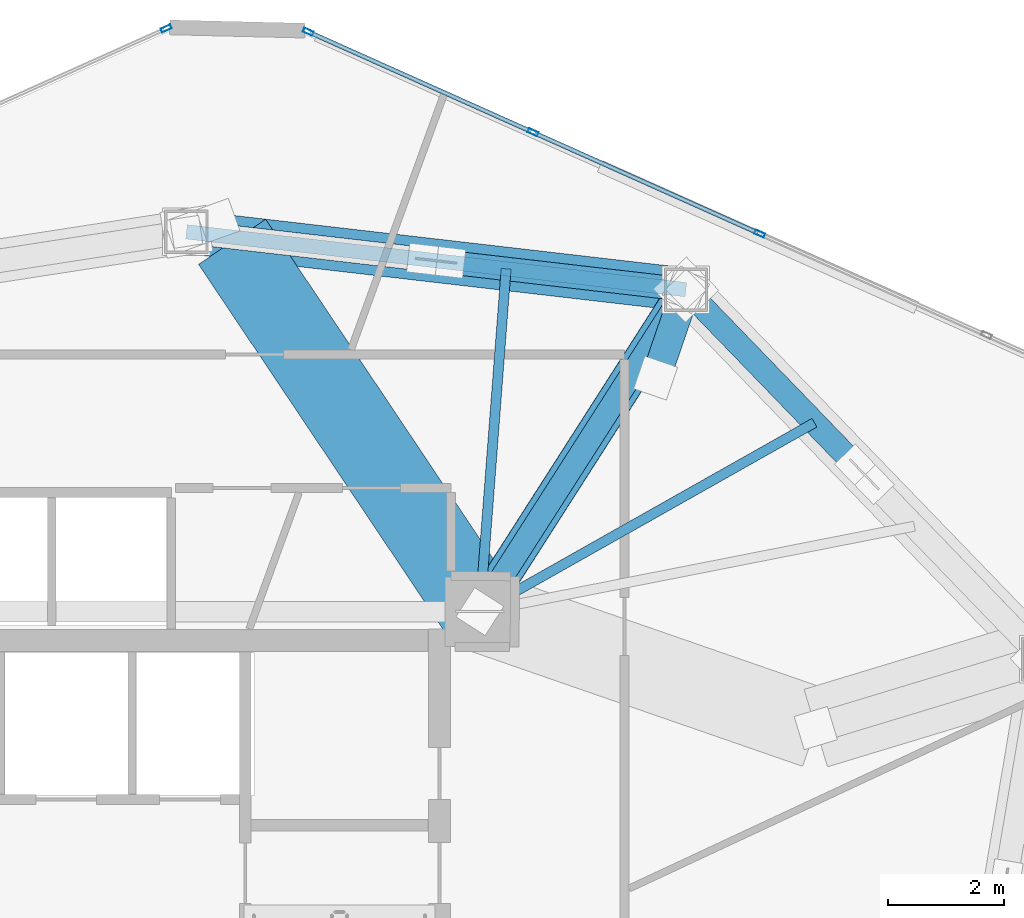
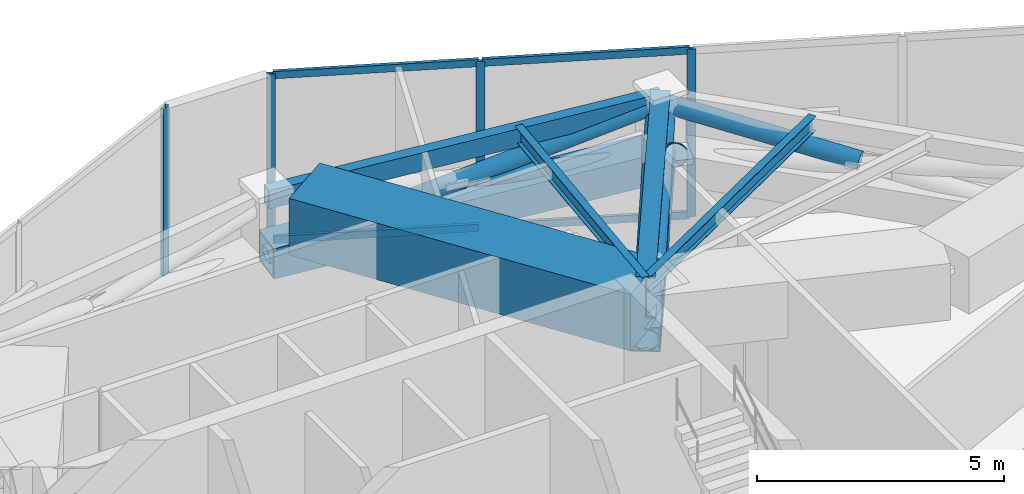
# One storey, part 14 of 21: 15 members, 5 beams, 2 elements without a shape of their own.
"""IFC4 building model written with IfcOpenShell, lengths in metres."""

from ifc_helpers import new_model, si_unit, direction, frame, origin, origin_2d, place, context, subcontext, project, spatial, rectangle, hollow_rectangle, hollow_circle, i_section, extrude, source, transform, mapped, material, layer, layer_set, material_profile, profile_set, type_object, type_shapes, element, aggregate, save


model = new_model("IFC4")

# Units and contexts
model_context = context("Model", 3, precision=1e-05, world=origin(), true_north=direction((0.0, 1.0)))
body_context = subcontext(model_context, "Body", "Model", "MODEL_VIEW")
ifc_project = project(units=[si_unit("LENGTHUNIT", "METRE"), si_unit("AREAUNIT", "SQUARE_METRE"), si_unit("VOLUMEUNIT", "CUBIC_METRE"), si_unit("PLANEANGLEUNIT", "RADIAN"), si_unit("MASSUNIT", "GRAM", prefix="KILO")], contexts=[model_context])

# Site, building, storey
site_placement = place(None, origin())
site = spatial("IfcSite", under=ifc_project, at=site_placement, CompositionType="ELEMENT")
building_placement = place(site_placement, origin())
building = spatial("IfcBuilding", under=site, at=building_placement, Name="Talar Marvaseh", CompositionType="ELEMENT")
storey_placement = place(building_placement, frame((0.0, 0.0, 162.39990234375)))
storey = spatial("IfcBuildingStorey", under=building, at=storey_placement, Name="L42", CompositionType="ELEMENT", Elevation=162.39990234375)

# Beams
ifc_material_1 = material(Name="Steel S460", Category="steel")
ifc_material_profile_1 = material_profile(ifc_material_1, i_section(OverallWidth=0.39990234375, OverallDepth=1.02099609375, WebThickness=0.02294921875, FlangeThickness=0.0390625, at=origin_2d()), Name="W1000x412")
ifc_profile_set_1 = profile_set([ifc_material_profile_1], Name="Steel S460")
beam_type_1 = type_object("IfcBeamType", Name="Heavy Outrigger Tie Girder W1000x412", PredefinedType="BEAM", material=ifc_profile_set_1)
beam_1_placement = place(storey_placement, frame((33.300048828125, 36.89990234375, 3.6396484375), z_axis=(0.539101874952, 0.842240564461, 0.0), x_axis=(-0.842240564461, 0.539101874952, 0.0)))
element("IfcBeam", 1, at=beam_1_placement, inside=storey, type_object=beam_type_1, Name="L42 Heavy Outrigger Tie Girder W1000x412", PredefinedType="BEAM", context=body_context, shape_type="SweptSolid", body=[
    extrude(i_section(OverallWidth=0.39990234375, OverallDepth=1.02099609375, WebThickness=0.02294921875, FlangeThickness=0.0390625, at=origin_2d()), origin(), (0.0, 0.0, 1.0), 6.614501953125),
])
ifc_material_2 = material(Name="Concrete C70/85", Category="concrete")
ifc_material_profile_2 = material_profile(ifc_material_2, rectangle(XDim=1.39990234375, YDim=1.39990234375, at=origin_2d()), Name="RC1400x1400")
ifc_profile_set_2 = profile_set([ifc_material_profile_2], Name="Concrete C70/85")
beam_type_2 = type_object("IfcBeamType", Name="Setback Deep Concrete Transfer Girder RC1400x1400", PredefinedType="BEAM", material=ifc_profile_set_2)
beam_2_placement = place(storey_placement, frame((29.0126953125, 43.2998046875, 3.4501953125), z_axis=(0.556563824134, -0.830804856549, 0.0), x_axis=(0.830804856549, 0.556563824134, 0.0)))
element("IfcBeam", 2, at=beam_2_placement, inside=storey, type_object=beam_type_2, Name="L42 Setback Backspan Transfer Girder 1", PredefinedType="BEAM", context=body_context, shape_type="SweptSolid", body=[
    extrude(rectangle(XDim=1.39990234375, YDim=1.39990234375, at=origin_2d()), origin(), (0.0, 0.0, 1.0), 7.703369140625),
])
ifc_material_3 = material(Name="Steel S355", Category="steel")
ifc_material_profile_3 = material_profile(ifc_material_3, hollow_rectangle(XDim=0.25, YDim=0.449951171875, WallThickness=0.01611328125, at=origin_2d()), Name="RHS450x250x16")
ifc_profile_set_3 = profile_set([ifc_material_profile_3], Name="Steel S355")
beam_type_3 = type_object("IfcBeamType", Name="Zone 2 Perimeter Spandrel Beam RHS450x250x16", PredefinedType="SPANDREL", material=ifc_profile_set_3)
beam_3_placement = place(storey_placement, frame((28.221923828125, 43.471923828125, 3.925048828125), z_axis=(0.993361914569, -0.115030894474, 0.0), x_axis=(0.115030894474, 0.993361914569, 0.0)))
element("IfcBeam", 3, at=beam_3_placement, inside=storey, type_object=beam_type_3, Name="L42 Zone 2 Perimeter Spandrel Beam RHS450x250x16", PredefinedType="SPANDREL", context=body_context, shape_type="SweptSolid", body=[
    extrude(hollow_rectangle(XDim=0.25, YDim=0.449951171875, WallThickness=0.01611328125, at=origin_2d()), origin(), (0.0, 0.0, 1.0), 8.701904296875),
])
ifc_material_profile_4 = material_profile(ifc_material_3, i_section(OverallWidth=0.172119140625, OverallDepth=0.35791015625, WebThickness=0.0078125, FlangeThickness=0.01318359375, at=origin_2d()), Name="W360x57")
ifc_profile_set_4 = profile_set([ifc_material_profile_4], Name="Steel S355")
beam_type_4 = type_object("IfcBeamType", Name="Zone 2 Secondary Floor Joist W360x57", PredefinedType="JOIST", material=ifc_profile_set_4)
beam_4_placement = place(storey_placement, frame((39.090087890625, 40.168701171875, 3.97119140625), z_axis=(-0.870809604029, -0.491620416105, 0.0), x_axis=(0.491620416105, -0.870809604029, 0.0)))
element("IfcBeam", 4, at=beam_4_placement, inside=storey, type_object=beam_type_4, Name="L42 Zone 2 Secondary Floor Joist W360x57", PredefinedType="JOIST", context=body_context, shape_type="SweptSolid", body=[
    extrude(i_section(OverallWidth=0.172119140625, OverallDepth=0.35791015625, WebThickness=0.0078125, FlangeThickness=0.01318359375, at=origin_2d()), origin(), (0.0, 0.0, 1.0), 6.64892578125),
])
beam_5_placement = place(storey_placement, frame((33.754150390625, 42.831298828125, 3.97119140625), z_axis=(-0.076335577703, -0.99708218296, 0.0), x_axis=(0.99708218296, -0.076335577703, 0.0)))
element("IfcBeam", 5, at=beam_5_placement, inside=storey, type_object=beam_type_4, Name="L42 Zone 2 Secondary Floor Joist W360x57", PredefinedType="JOIST", context=body_context, shape_type="SweptSolid", body=[
    extrude(i_section(OverallWidth=0.172119140625, OverallDepth=0.35791015625, WebThickness=0.0078125, FlangeThickness=0.01318359375, at=origin_2d()), origin(), (0.0, 0.0, 1.0), 5.94873046875),
])

# Members
ifc_material_profile_5 = material_profile(ifc_material_1, hollow_rectangle(XDim=0.60009765625, YDim=0.60009765625, WallThickness=0.031982421875, at=origin_2d()), Name="BOX600x600x32")
ifc_profile_set_5 = profile_set([ifc_material_profile_5], Name="Steel S460")
member_type_1 = type_object("IfcMemberType", Name="Outrigger Chord Member BOX600x600x32", PredefinedType="CHORD", material=ifc_profile_set_5)
shared_shape_1 = source(origin(), body_context, "Body", "SweptSolid", [
    extrude(hollow_rectangle(XDim=0.60009765625, YDim=0.60009765625, WallThickness=0.031982421875, at=origin_2d()), origin(), (0.0, 0.0, 1.0), 6.614501953125),
])
type_shapes(member_type_1, [shared_shape_1])
member_1_placement = place(storey_placement, frame((33.300048828125, 36.89990234375, 2.60009765625), z_axis=(0.539101874952, 0.842240564461, 0.0), x_axis=(-0.842240564461, 0.539101874952, 0.0)))
element("IfcMember", 6, at=member_1_placement, inside=storey, type_object=member_type_1, Name="L42 Outrigger Upper Tie Chord 2", PredefinedType="CHORD", context=body_context, shape_type="MappedRepresentation", body=[
    mapped(shared_shape_1, transform((0.0, 0.0, 0.0), x_axis=(1.0, 0.0, 0.0), y_axis=(0.0, 1.0, 0.0), z_axis=(0.0, 0.0, 1.0), scale=1.0)),
])
ifc_material_profile_6 = material_profile(ifc_material_1, hollow_circle(Radius=0.304931640625, WallThickness=0.02490234375, at=origin_2d()), Name="CHS610x25")
ifc_profile_set_6 = profile_set([ifc_material_profile_6], Name="Steel S460")
member_type_2 = type_object("IfcMemberType", Name="Outrigger Diagonal Brace CHS610x25", PredefinedType="BRACE", material=ifc_profile_set_6)
shared_shape_2 = source(origin(), body_context, "Body", "SweptSolid", [
    extrude(hollow_circle(Radius=0.304931640625, WallThickness=0.02490234375, at=origin_2d()), origin(), (0.0, 0.0, 1.0), 6.697265625),
])
type_shapes(member_type_2, [shared_shape_2])
member_2_placement = place(storey_placement, frame((33.300048828125, 36.89990234375, 2.60009765625), z_axis=(0.532434672433, 0.831824372878, 0.156784987412), x_axis=(-0.842240564461, 0.539101874952, 0.0)))
element("IfcMember", 7, at=member_2_placement, inside=storey, type_object=member_type_2, Name="L42 Outrigger Diagonal Brace 2", PredefinedType="BRACE", context=body_context, shape_type="MappedRepresentation", body=[
    mapped(shared_shape_2, transform((0.0, 0.0, 0.0), x_axis=(1.0, 0.0, 0.0), y_axis=(0.0, 1.0, 0.0), z_axis=(0.0, 0.0, 1.0), scale=1.0)),
])
ifc_material_profile_7 = material_profile(ifc_material_1, hollow_circle(Radius=0.25390625, WallThickness=0.02001953125, at=origin_2d()), Name="CHS508x20")
ifc_profile_set_7 = profile_set([ifc_material_profile_7], Name="Steel S460")
member_type_3 = type_object("IfcMemberType", Name="Crown Frame Diagonal Brace CHS508x20", PredefinedType="BRACE", material=ifc_profile_set_7)
shared_shape_3 = source(origin(), body_context, "Body", "SweptSolid", [
    extrude(hollow_circle(Radius=0.25390625, WallThickness=0.02001953125, at=origin_2d()), origin(), (0.0, 0.0, 1.0), 1.955322265625),
])
type_shapes(member_type_3, [shared_shape_3])
member_3_placement = place(storey_placement, frame((36.865966796875, 42.470947265625, 2.550048828125), z_axis=(-0.268432043908, -0.781948786511, 0.562583623187), x_axis=(0.945821444235, -0.324687227384, 0.0)))
element("IfcMember", 8, at=member_3_placement, inside=storey, type_object=member_type_3, Name="L42 Setback Transfer Raked Strut 2", PredefinedType="BRACE", context=body_context, shape_type="MappedRepresentation", body=[
    mapped(shared_shape_3, transform((0.0, 0.0, 0.0), x_axis=(1.0, 0.0, 0.0), y_axis=(0.0, 1.0, 0.0), z_axis=(0.0, 0.0, 1.0), scale=1.0)),
])
ifc_material_profile_8 = material_profile(ifc_material_1, hollow_circle(Radius=0.203125, WallThickness=0.01611328125, at=origin_2d()), Name="CHS406x16")
ifc_profile_set_8 = profile_set([ifc_material_profile_8], Name="Steel S460")
member_type_4 = type_object("IfcMemberType", Name="Belt Truss Diagonal Brace CHS406x16", PredefinedType="BRACE", material=ifc_profile_set_8)
shared_shape_4 = source(origin(), body_context, "Body", "SweptSolid", [
    extrude(hollow_circle(Radius=0.203125, WallThickness=0.01611328125, at=origin_2d()), origin(), (0.0, 0.0, 1.0), 4.2568359375),
])
member_4_placement = place(storey_placement, frame((39.7900390625, 39.444091796875, 3.211181640625), z_axis=(-0.686919449847, 0.711065153144, 0.150093362299), x_axis=(-0.719212516559, -0.69479015251, 0.0)))
element("IfcMember", 9, at=member_4_placement, inside=storey, type_object=member_type_4, Name="L42 Belt Truss Split Diagonal Upper 1", PredefinedType="BRACE", context=body_context, shape_type="MappedRepresentation", body=[
    mapped(shared_shape_4, transform((0.0, 0.0, 0.0), x_axis=(1.0, 0.0, 0.0), y_axis=(0.0, 1.0, 0.0), z_axis=(0.0, 0.0, 1.0), scale=1.0)),
])
ifc_material_profile_9 = material_profile(ifc_material_1, hollow_rectangle(XDim=0.75, YDim=0.75, WallThickness=0.0400390625, at=origin_2d()), Name="BOX750x750x40")
ifc_profile_set_9 = profile_set([ifc_material_profile_9], Name="Steel S460")
member_type_5 = type_object("IfcMemberType", Name="Belt Truss Chord Member BOX750x750x40", PredefinedType="CHORD", material=ifc_profile_set_9)
shared_shape_5 = source(origin(), body_context, "Body", "SweptSolid", [
    extrude(hollow_rectangle(XDim=0.75, YDim=0.75, WallThickness=0.0400390625, at=origin_2d()), origin(), (0.0, 0.0, 1.0), 8.701904296875),
])
type_shapes(member_type_5, [shared_shape_5])
member_5_placement = place(storey_placement, frame((28.221923828125, 43.471923828125, 2.5), z_axis=(0.993361914569, -0.115030894474, 0.0), x_axis=(0.115030894474, 0.993361914569, 0.0)))
element("IfcMember", 10, at=member_5_placement, inside=storey, type_object=member_type_5, Name="L42 Belt Truss Bottom Chord 12", PredefinedType="CHORD", context=body_context, shape_type="MappedRepresentation", body=[
    mapped(shared_shape_5, transform((0.0, 0.0, 0.0), x_axis=(1.0, 0.0, 0.0), y_axis=(0.0, 1.0, 0.0), z_axis=(0.0, 0.0, 1.0), scale=1.0)),
])
shared_shape_6 = source(origin(), body_context, "Body", "SweptSolid", [
    extrude(hollow_circle(Radius=0.203125, WallThickness=0.01611328125, at=origin_2d()), origin(), (0.0, 0.0, 1.0), 8.805908203125),
])
member_6_placement = place(storey_placement, frame((28.221923828125, 43.471923828125, 2.5), z_axis=(0.981617442062, -0.113670889467, 0.153317077744), x_axis=(0.115030894474, 0.993361914569, 0.0)))
element("IfcMember", 11, at=member_6_placement, inside=storey, type_object=member_type_4, Name="L42 Belt Truss Continuous Diagonal 12", PredefinedType="BRACE", context=body_context, shape_type="MappedRepresentation", body=[
    mapped(shared_shape_6, transform((0.0, 0.0, 0.0), x_axis=(1.0, 0.0, 0.0), y_axis=(0.0, 1.0, 0.0), z_axis=(0.0, 0.0, 1.0), scale=1.0)),
])
shared_shape_7 = source(origin(), body_context, "Body", "SweptSolid", [
    extrude(hollow_circle(Radius=0.203125, WallThickness=0.01611328125, at=origin_2d()), origin(), (0.0, 0.0, 1.0), 4.162841796875),
])
type_shapes(member_type_4, [shared_shape_4, shared_shape_6, shared_shape_7])
member_7_placement = place(storey_placement, frame((36.865966796875, 42.470947265625, 2.5), z_axis=(-0.981621557015, 0.113656504809, 0.153301395031), x_axis=(-0.115016054522, -0.993363632917, 0.0)))
element("IfcMember", 12, at=member_7_placement, inside=storey, type_object=member_type_4, Name="L42 Belt Truss Split Diagonal Lower 12", PredefinedType="BRACE", context=body_context, shape_type="MappedRepresentation", body=[
    mapped(shared_shape_7, transform((0.0, 0.0, 0.0), x_axis=(1.0, 0.0, 0.0), y_axis=(0.0, 1.0, 0.0), z_axis=(0.0, 0.0, 1.0), scale=1.0)),
])

# Curtain wall, members
ifc_material_4 = material(Name="Architectural Aluminium", Category="aluminium")
ifc_layer = layer(ifc_material_4, 0.199951171875)
ifc_layer_set = layer_set([ifc_layer], Name="Architectural Aluminium")
curtain_wall_type = type_object("IfcCurtainWallType", Name="Unitised Acoustic Library Curtain Wall Z2", PredefinedType="NOTDEFINED", material=ifc_layer_set)
curtain_wall_1_placement = place(storey_placement, origin())
curtain_wall_1 = element("IfcCurtainWall", 13, at=curtain_wall_1_placement, inside=storey, type_object=curtain_wall_type, Name="L42 Unitised Acoustic Library Curtain Wall Z2", PredefinedType="NOTDEFINED")
ifc_material_profile_10 = material_profile(ifc_material_4, hollow_rectangle(XDim=0.074951171875, YDim=0.179931640625, WallThickness=0.0048828125, at=origin_2d()), Name="RHS180x75x5")
ifc_profile_set_10 = profile_set([ifc_material_profile_10], Name="Architectural Aluminium")
member_type_6 = type_object("IfcMemberType", Name="Unitised Curtain Wall Transom RHS180x75x5", PredefinedType="USERDEFINED", material=ifc_profile_set_10)
shared_shape_8 = source(origin(), body_context, "Body", "SweptSolid", [
    extrude(hollow_rectangle(XDim=0.074951171875, YDim=0.179931640625, WallThickness=0.0048828125, at=origin_2d()), origin(), (0.0, 0.0, 1.0), 4.185302734375),
])
member_8_placement = place(storey_placement, frame((30.364013671875, 46.91796875, 0.03759765625), z_axis=(0.912858875407, -0.408275242442, 0.0), x_axis=(0.408275242442, 0.912858875407, 0.0)))
member_8 = element("IfcMember", 14, at=member_8_placement, type_object=member_type_6, Name="CW-Z2 transom 1.1", ObjectType="TRANSOM", PredefinedType="USERDEFINED", context=body_context, shape_type="MappedRepresentation", body=[
    mapped(shared_shape_8, transform((0.0, 0.0, 0.0), x_axis=(1.0, 0.0, 0.0), y_axis=(0.0, 1.0, 0.0), z_axis=(0.0, 0.0, 1.0), scale=1.0)),
])
member_9_placement = place(storey_placement, frame((30.364013671875, 46.91796875, 4.112548828125), z_axis=(0.912858875407, -0.408275242442, 0.0), x_axis=(0.408275242442, 0.912858875407, 0.0)))
member_9 = element("IfcMember", 15, at=member_9_placement, type_object=member_type_6, Name="CW-Z2 transom 1.2", ObjectType="TRANSOM", PredefinedType="USERDEFINED", context=body_context, shape_type="MappedRepresentation", body=[
    mapped(shared_shape_8, transform((0.0, 0.0, 0.0), x_axis=(1.0, 0.0, 0.0), y_axis=(0.0, 1.0, 0.0), z_axis=(0.0, 0.0, 1.0), scale=1.0)),
])
shared_shape_9 = source(origin(), body_context, "Body", "SweptSolid", [
    extrude(hollow_rectangle(XDim=0.074951171875, YDim=0.179931640625, WallThickness=0.0048828125, at=origin_2d()), origin(), (0.0, 0.0, 1.0), 4.22265625),
])
type_shapes(member_type_6, [shared_shape_8, shared_shape_9])
member_10_placement = place(storey_placement, frame((34.253173828125, 45.178466796875, 0.03759765625), z_axis=(0.912850576398, -0.408293797614, 0.0), x_axis=(0.408293797614, 0.912850576398, 0.0)))
member_10 = element("IfcMember", 16, at=member_10_placement, type_object=member_type_6, Name="CW-Z2 transom 2.1", ObjectType="TRANSOM", PredefinedType="USERDEFINED", context=body_context, shape_type="MappedRepresentation", body=[
    mapped(shared_shape_9, transform((0.0, 0.0, 0.0), x_axis=(1.0, 0.0, 0.0), y_axis=(0.0, 1.0, 0.0), z_axis=(0.0, 0.0, 1.0), scale=1.0)),
])
member_11_placement = place(storey_placement, frame((34.253173828125, 45.178466796875, 4.112548828125), z_axis=(0.912850576398, -0.408293797614, 0.0), x_axis=(0.408293797614, 0.912850576398, 0.0)))
member_11 = element("IfcMember", 17, at=member_11_placement, type_object=member_type_6, Name="CW-Z2 transom 2.2", ObjectType="TRANSOM", PredefinedType="USERDEFINED", context=body_context, shape_type="MappedRepresentation", body=[
    mapped(shared_shape_9, transform((0.0, 0.0, 0.0), x_axis=(1.0, 0.0, 0.0), y_axis=(0.0, 1.0, 0.0), z_axis=(0.0, 0.0, 1.0), scale=1.0)),
])

# Curtain wall, member
curtain_wall_2_placement = place(storey_placement, origin())
curtain_wall_2 = element("IfcCurtainWall", 18, at=curtain_wall_2_placement, inside=storey, type_object=curtain_wall_type, Name="L42 Unitised Acoustic Library Curtain Wall Z2", PredefinedType="NOTDEFINED")
ifc_material_profile_11 = material_profile(ifc_material_4, hollow_rectangle(XDim=0.074951171875, YDim=0.179931640625, WallThickness=0.0048828125, at=origin_2d()), Name="RHS180x75x5")
ifc_profile_set_11 = profile_set([ifc_material_profile_11], Name="Architectural Aluminium")
member_type_7 = type_object("IfcMemberType", Name="Unitised Curtain Wall Standard Mullion RHS180x75x5", PredefinedType="MULLION", material=ifc_profile_set_11)
shared_shape_10 = source(origin(), body_context, "Body", "SweptSolid", [
    extrude(hollow_rectangle(XDim=0.074951171875, YDim=0.179931640625, WallThickness=0.0048828125, at=origin_2d()), origin(), (0.0, 0.0, 1.0), 4.150146484375),
])
type_shapes(member_type_7, [shared_shape_10])
member_12_placement = place(storey_placement, frame((27.8720703125, 46.9892578125, 0.0), z_axis=(0.0, 0.0, 1.0), x_axis=(-0.409639401688, 0.912247532518, 0.0)))
member_12 = element("IfcMember", 19, at=member_12_placement, type_object=member_type_7, Name="CW-Z2 mullion 4", PredefinedType="MULLION", context=body_context, shape_type="MappedRepresentation", body=[
    mapped(shared_shape_10, transform((0.0, 0.0, 0.0), x_axis=(1.0, 0.0, 0.0), y_axis=(0.0, 1.0, 0.0), z_axis=(0.0, 0.0, 1.0), scale=1.0)),
])
aggregate(curtain_wall_2, [member_12])

# Member
member_13_placement = place(storey_placement, frame((30.329833984375, 46.93310546875, 0.0), z_axis=(0.0, 0.0, 1.0), x_axis=(0.408270270087, 0.912861099271, 0.0)))
member_13 = element("IfcMember", 20, at=member_13_placement, type_object=member_type_7, Name="CW-Z2 mullion 1", PredefinedType="MULLION", context=body_context, shape_type="MappedRepresentation", body=[
    mapped(shared_shape_10, transform((0.0, 0.0, 0.0), x_axis=(1.0, 0.0, 0.0), y_axis=(0.0, 1.0, 0.0), z_axis=(0.0, 0.0, 1.0), scale=1.0)),
])

member_14_placement = place(storey_placement, frame((34.218994140625, 45.19384765625, 0.0), z_axis=(0.0, 0.0, 1.0), x_axis=(0.408270270087, 0.912861099271, 0.0)))
member_14 = element("IfcMember", 21, at=member_14_placement, type_object=member_type_7, Name="CW-Z2 mullion 2", PredefinedType="MULLION", context=body_context, shape_type="MappedRepresentation", body=[
    mapped(shared_shape_10, transform((0.0, 0.0, 0.0), x_axis=(1.0, 0.0, 0.0), y_axis=(0.0, 1.0, 0.0), z_axis=(0.0, 0.0, 1.0), scale=1.0)),
])

member_15_placement = place(storey_placement, frame((38.142333984375, 43.439208984375, 0.0), z_axis=(0.0, 0.0, 1.0), x_axis=(0.408270270087, 0.912861099271, 0.0)))
member_15 = element("IfcMember", 22, at=member_15_placement, type_object=member_type_7, Name="CW-Z2 mullion 3", PredefinedType="MULLION", context=body_context, shape_type="MappedRepresentation", body=[
    mapped(shared_shape_10, transform((0.0, 0.0, 0.0), x_axis=(1.0, 0.0, 0.0), y_axis=(0.0, 1.0, 0.0), z_axis=(0.0, 0.0, 1.0), scale=1.0)),
])

aggregate(curtain_wall_1, [member_13, member_14, member_15, member_8, member_9, member_10, member_11])

save(model, "model.ifc")
